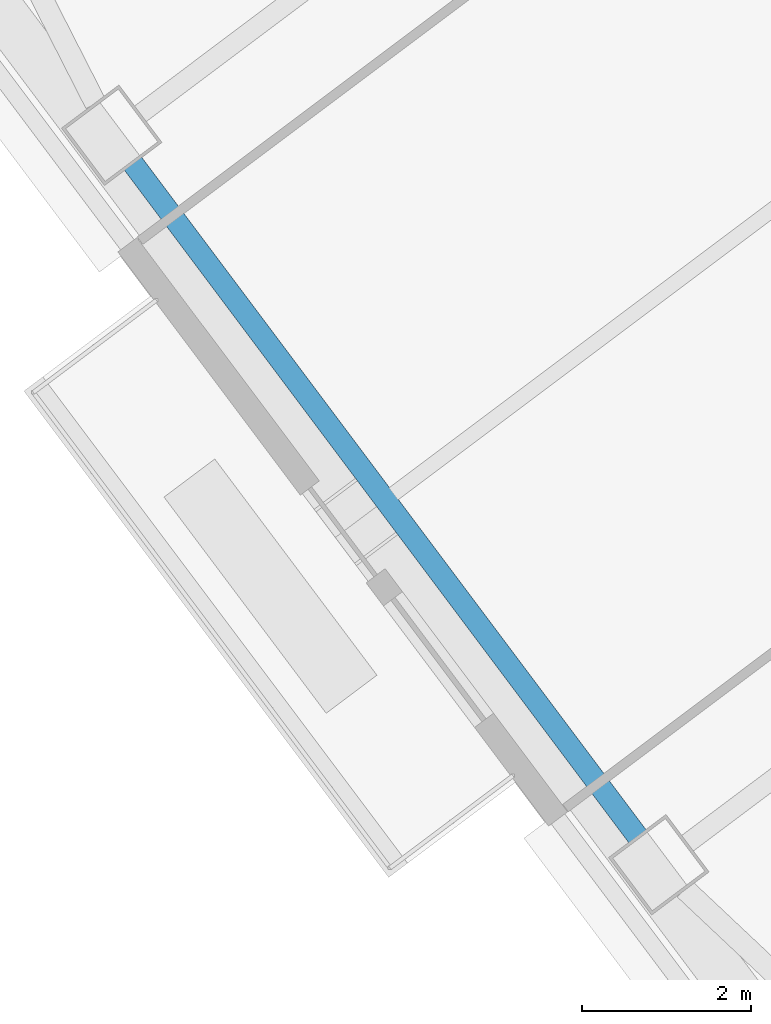
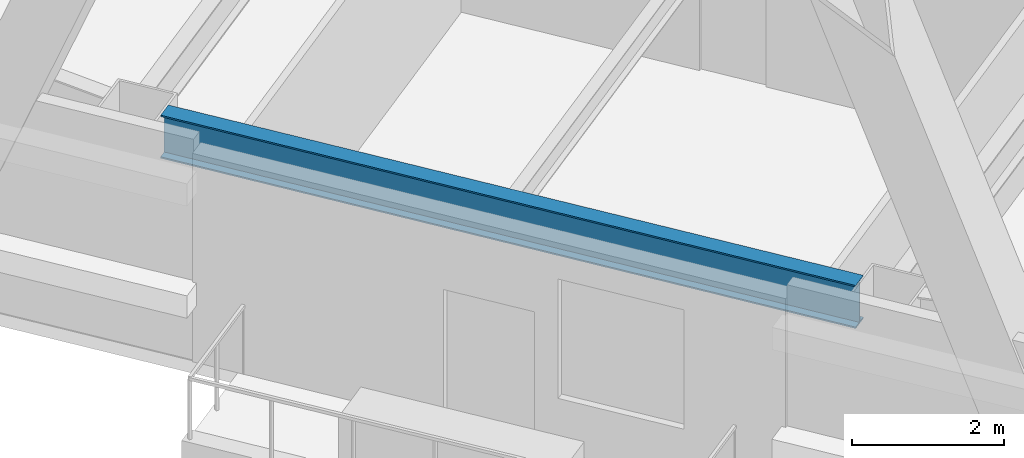
# One storey, part 23 of 54: 1 beam.
"""IFC4 building model written with IfcOpenShell, lengths in metres."""

from ifc_helpers import new_model, si_unit, direction, frame, origin, origin_2d, place, context, subcontext, project, spatial, i_section, extrude, material, material_profile, profile_set, type_object, element, save


model = new_model("IFC4")

# Units and contexts
model_context = context("Model", 3, precision=1e-05, world=origin(), true_north=direction((0.0, 1.0)))
body_context = subcontext(model_context, "Body", "Model", "MODEL_VIEW")
ifc_project = project(units=[si_unit("LENGTHUNIT", "METRE"), si_unit("AREAUNIT", "SQUARE_METRE"), si_unit("VOLUMEUNIT", "CUBIC_METRE"), si_unit("PLANEANGLEUNIT", "RADIAN"), si_unit("MASSUNIT", "GRAM", prefix="KILO")], contexts=[model_context])

# Site, building, storey
site_placement = place(None, origin())
site = spatial("IfcSite", under=ifc_project, at=site_placement, CompositionType="ELEMENT")
building_placement = place(site_placement, origin())
building = spatial("IfcBuilding", under=site, at=building_placement, Name="Tashvorn Skyway Center", CompositionType="ELEMENT")
storey_placement = place(building_placement, frame((0.0, 0.0, 88.5)))
storey = spatial("IfcBuildingStorey", under=building, at=storey_placement, Name="L23", CompositionType="ELEMENT", Elevation=88.5)

# Beam
ifc_material = material(Name="Steel ASTM A992 Grade 50", Category="steel")
ifc_material_profile = material_profile(ifc_material, i_section(OverallWidth=0.256103515625, OverallDepth=0.693115234375, WebThickness=0.014404296875, FlangeThickness=0.023681640625, at=origin_2d()), Name="W27X114")
ifc_profile_set = profile_set([ifc_material_profile], Name="Steel ASTM A992 Grade 50")
beam_type = type_object("IfcBeamType", Name="BM-SPANDREL-W27X114", PredefinedType="SPANDREL", material=ifc_profile_set)
beam_placement = place(storey_placement, frame((95.612060546875, 24.43408203125, 3.00341796875), z_axis=(0.599988234018, -0.800008824351, 0.0), x_axis=(0.800008824351, 0.599988234018, 0.0)))
element("IfcBeam", 1, at=beam_placement, inside=storey, type_object=beam_type, Name="Tower 2 L23 Spandrel Beam 11", PredefinedType="SPANDREL", context=body_context, shape_type="SweptSolid", body=[
    extrude(i_section(OverallWidth=0.256103515625, OverallDepth=0.693115234375, WebThickness=0.014404296875, FlangeThickness=0.023681640625, at=origin_2d()), origin(), (0.0, 0.0, 1.0), 9.9599609375),
])

save(model, "model.ifc")
